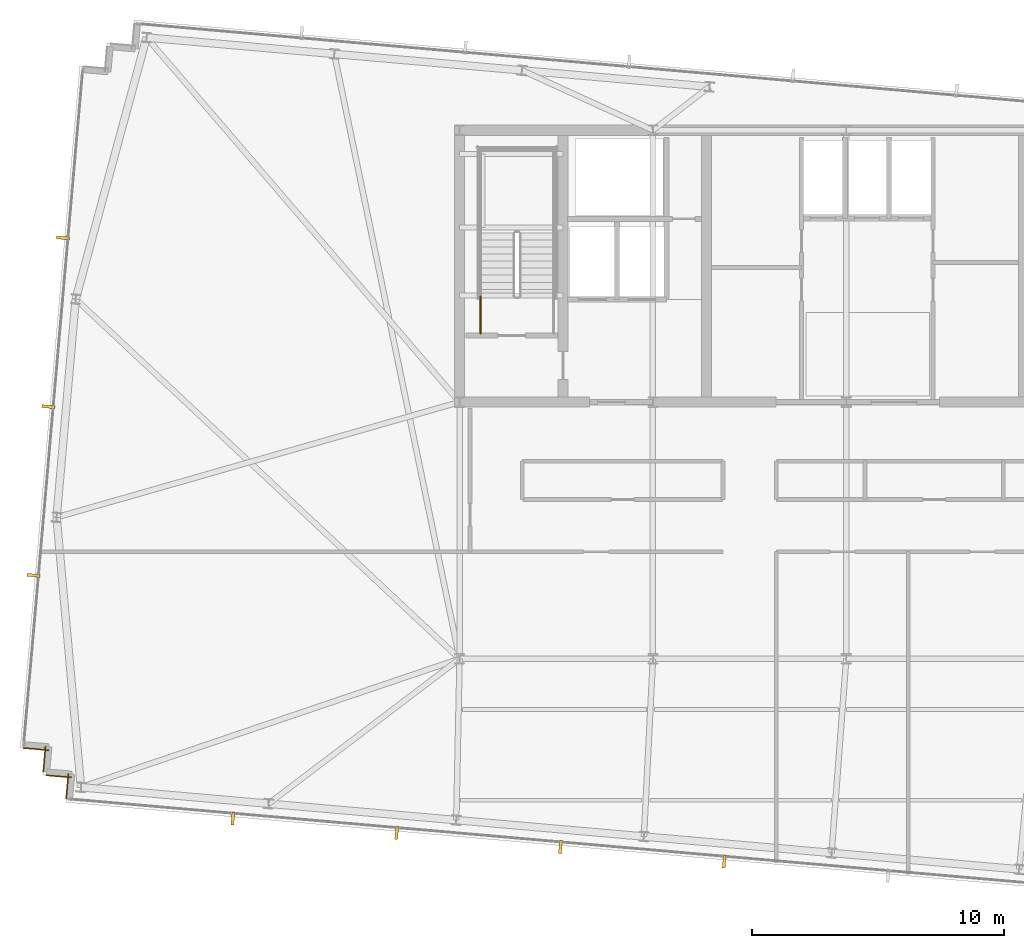
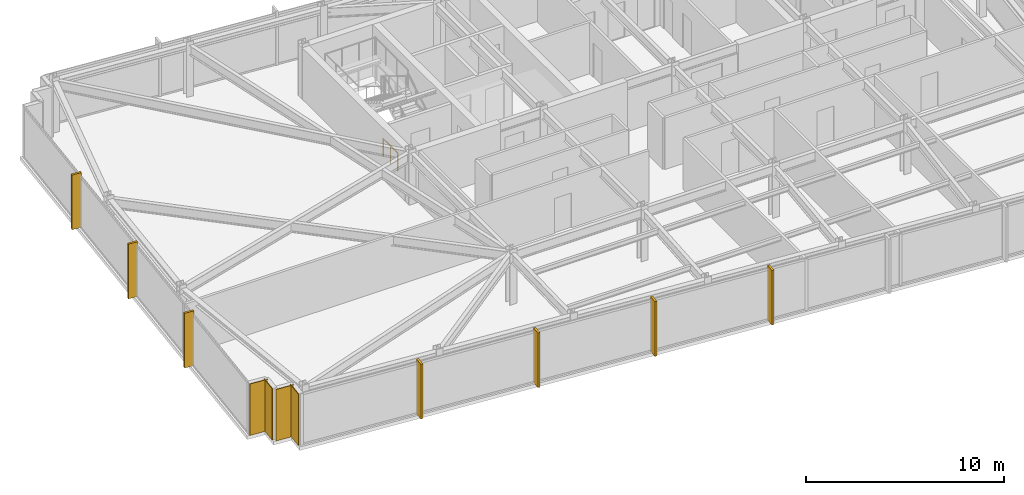
# One storey, part 29 of 32: 7 shading devices, 4 coverings, 1 railing.
"""IFC4 building model written with IfcOpenShell, lengths in metres."""

from ifc_helpers import new_model, si_unit, direction, frame, frame_2d, origin, origin_2d, place, context, subcontext, project, spatial, rectangle, circle, extrude, material, layer, layer_set, type_object, element, save


model = new_model("IFC4")

# Units and contexts
model_context = context("Model", 3, precision=1e-05, world=origin(), true_north=direction((0.0, 1.0)))
body_context = subcontext(model_context, "Body", "Model", "MODEL_VIEW")
ifc_project = project(units=[si_unit("LENGTHUNIT", "METRE"), si_unit("AREAUNIT", "SQUARE_METRE"), si_unit("VOLUMEUNIT", "CUBIC_METRE"), si_unit("PLANEANGLEUNIT", "RADIAN"), si_unit("MASSUNIT", "GRAM", prefix="KILO")], contexts=[model_context])

# Site, building, storey
site_placement = place(None, origin())
site = spatial("IfcSite", under=ifc_project, at=site_placement, CompositionType="ELEMENT")
building_placement = place(site_placement, origin())
building = spatial("IfcBuilding", under=site, at=building_placement, Name="Yelkora Congress Tower", CompositionType="ELEMENT")
storey_placement = place(building_placement, frame((0.0, 0.0, 293.10009765625)))
storey = spatial("IfcBuildingStorey", under=building, at=storey_placement, Name="L82", CompositionType="ELEMENT", Elevation=293.10009765625)

# Coverings
ifc_material_1 = material(Name="Anatolian bush-hammered limestone", Category="masonry")
ifc_layer_1 = layer(ifc_material_1, 0.0400390625)
ifc_layer_set_1 = layer_set([ifc_layer_1], Name="Anatolian bush-hammered limestone")
covering_type = type_object("IfcCoveringType", Name="COV-CLAD-SPANDREL-40", PredefinedType="CLADDING", material=ifc_layer_set_1)
for number, where, z_axis, x_axis, name in (
    (1, (7.41064453125, 19.63720703125, 0.0), (0.0, 0.0, 1.0), (0.087166950281, 0.996193717496, 0.0), "L82 Anatolian Limestone Cladding EW-L82-SR01"),
    (2, (7.62060546875, 20.4873046875, 0.0), (0.0, 0.0, 1.0), (-0.996214890596, 0.086924632611, 0.0), "L82 Anatolian Limestone Cladding EW-L82-SR02"),
):
    element("IfcCovering", number, at=place(storey_placement, frame(where, z_axis=z_axis, x_axis=x_axis)), inside=storey, type_object=covering_type, Name=name, PredefinedType="CLADDING", context=body_context, shape_type="SweptSolid", body=[
        extrude(rectangle(XDim=1.0, YDim=0.0400390625, at=frame_2d((0.5, 0.0))), origin(), (0.0, 0.0, 1.0), 3.179931640625),
    ])
covering_1_placement = place(storey_placement, frame((6.501708984375, 20.720458984375, 0.0), z_axis=(0.0, 0.0, 1.0), x_axis=(0.087145753297, 0.996195572005, 0.0)))
element("IfcCovering", 3, at=covering_1_placement, inside=storey, type_object=covering_type, Name="L82 Anatolian Limestone Cladding EW-L82-SR03", PredefinedType="CLADDING", context=body_context, shape_type="SweptSolid", body=[
    extrude(rectangle(XDim=1.000244140625, YDim=0.0400390625, at=frame_2d((0.5, 0.0))), origin(), (0.0, 0.0, 1.0), 3.179931640625),
])
covering_2_placement = place(storey_placement, frame((6.71142578125, 21.570556640625, 0.0), z_axis=(0.0, 0.0, 1.0), x_axis=(-0.996193717496, 0.087166950281, 0.0)))
element("IfcCovering", 4, at=covering_2_placement, inside=storey, type_object=covering_type, Name="L82 Anatolian Limestone Cladding EW-L82-SR04", PredefinedType="CLADDING", context=body_context, shape_type="SweptSolid", body=[
    extrude(rectangle(XDim=1.0, YDim=0.0400390625, at=frame_2d((0.5, 0.0))), origin(), (0.0, 0.0, 1.0), 3.179931640625),
])

# Railing
ifc_material_2 = material(Name="Painted galvanised steel stair well guard with vertical infill", Category="steel")
ifc_layer_2 = layer(ifc_material_2, 0.06005859375)
ifc_layer_set_2 = layer_set([ifc_layer_2], Name="Painted galvanised steel stair well guard with vertical infill")
railing_type = type_object("IfcRailingType", Name="RAIL-STAIR-GUARD-1120", PredefinedType="GUARDRAIL", material=ifc_layer_set_2)
railing_placement = place(storey_placement, frame((23.8701171875, 38.1201171875, 0.0)))
element("IfcRailing", 5, at=railing_placement, inside=storey, type_object=railing_type, Name="ST-01 L82 Stair Well Guardrail 9", PredefinedType="GUARDRAIL", context=body_context, shape_type="SweptSolid", body=[
    extrude(circle(Radius=0.02392578125, at=origin_2d()), frame((0.0, 0.0, 1.09619140625), z_axis=(0.0, 1.0, 0.0), x_axis=(-1.0, 0.0, 0.0)), (0.0, 0.0, 1.0), 1.47998046875),
    extrude(circle(Radius=0.02099609375, at=origin_2d()), origin(), (0.0, 0.0, 1.0), 1.072021484375),
    extrude(circle(Radius=0.02099609375, at=origin_2d()), frame((0.0, 0.739990234375, 0.0)), (0.0, 0.0, 1.0), 1.072021484375),
    extrude(circle(Radius=0.02099609375, at=origin_2d()), frame((0.0, 1.47998046875, 0.0)), (0.0, 0.0, 1.0), 1.072021484375),
])

# Shading devices
ifc_material_3 = material(Name="Champagne anodised aluminium", Category="aluminium")
ifc_layer_3 = layer(ifc_material_3, 3.300048828125)
ifc_layer_set_3 = layer_set([ifc_layer_3], Name="Champagne anodised aluminium")
shading_device_type = type_object("IfcShadingDeviceType", Name="SHD-FIN-ALU-520", PredefinedType="USERDEFINED", material=ifc_layer_set_3)
for number, where, z_axis, x_axis, name in (
    (6, (6.114501953125, 28.513916015625, -0.030029296875), (0.0, 0.0, 1.0), (0.087155742748, 0.996194698092, 0.0), "L82 Vertical Anodised Solar Fin 5-1"),
    (7, (6.700927734375, 35.218505859375, -0.030029296875), (0.0, 0.0, 1.0), (0.087155742748, 0.996194698092, 0.0), "L82 Vertical Anodised Solar Fin 5-2"),
    (8, (7.28759765625, 41.9228515625, -0.030029296875), (0.0, 0.0, 1.0), (0.087155742748, 0.996194698092, 0.0), "L82 Vertical Anodised Solar Fin 5-3"),
    (9, (33.553955078125, 17.149169921875, -0.030029296875), (0.0, 0.0, 1.0), (-0.996194698092, 0.087155742748, 0.0), "L82 Vertical Anodised Solar Fin 20-3"),
    (10, (27.04736328125, 17.718505859375, -0.030029296875), (0.0, 0.0, 1.0), (-0.996194698092, 0.087155742748, 0.0), "L82 Vertical Anodised Solar Fin 20-4"),
    (11, (20.541015625, 18.28759765625, -0.030029296875), (0.0, 0.0, 1.0), (-0.996194698092, 0.087155742748, 0.0), "L82 Vertical Anodised Solar Fin 20-5"),
    (12, (14.0341796875, 18.85693359375, -0.030029296875), (0.0, 0.0, 1.0), (-0.996194698092, 0.087155742748, 0.0), "L82 Vertical Anodised Solar Fin 20-6"),
):
    element("IfcShadingDevice", number, at=place(storey_placement, frame(where, z_axis=z_axis, x_axis=x_axis)), inside=storey, type_object=shading_device_type, Name=name, ObjectType="FIN", PredefinedType="USERDEFINED", context=body_context, shape_type="SweptSolid", body=[
        extrude(rectangle(XDim=0.1201171875, YDim=0.52001953125, at=origin_2d()), origin(), (0.0, 0.0, 1.0), 3.3798828125),
    ])

save(model, "model.ifc")
